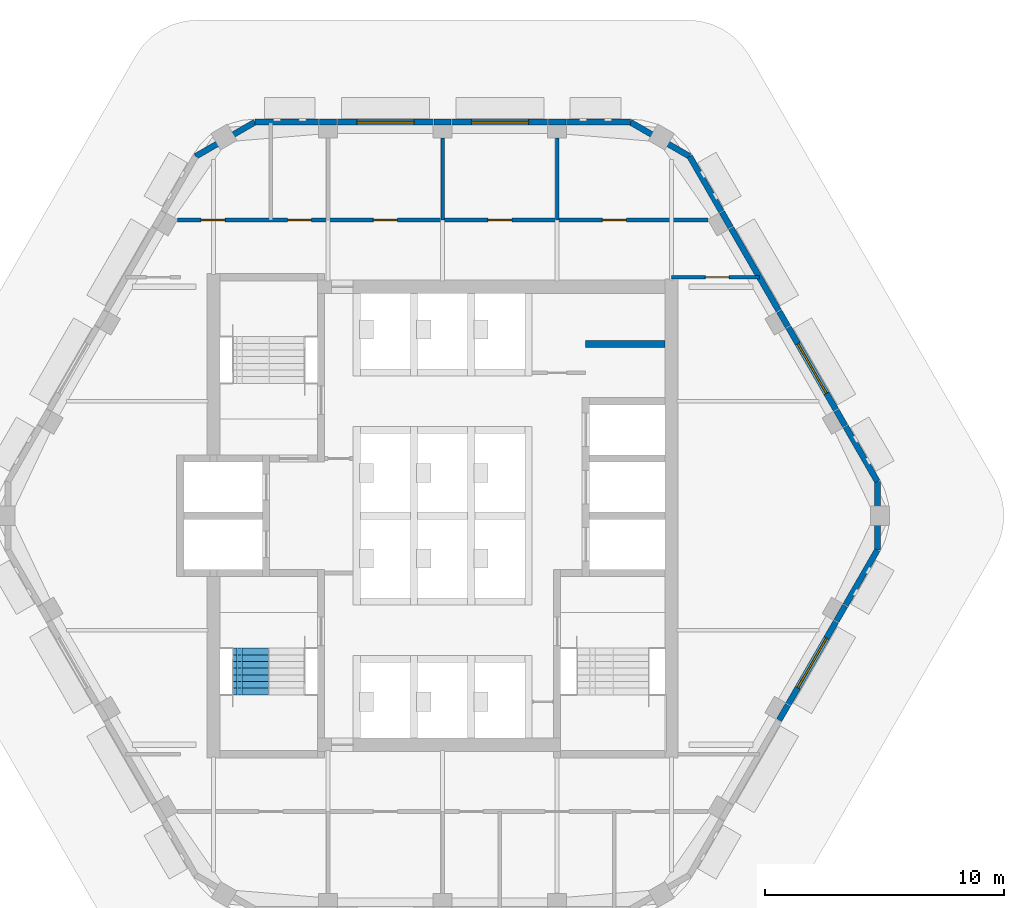
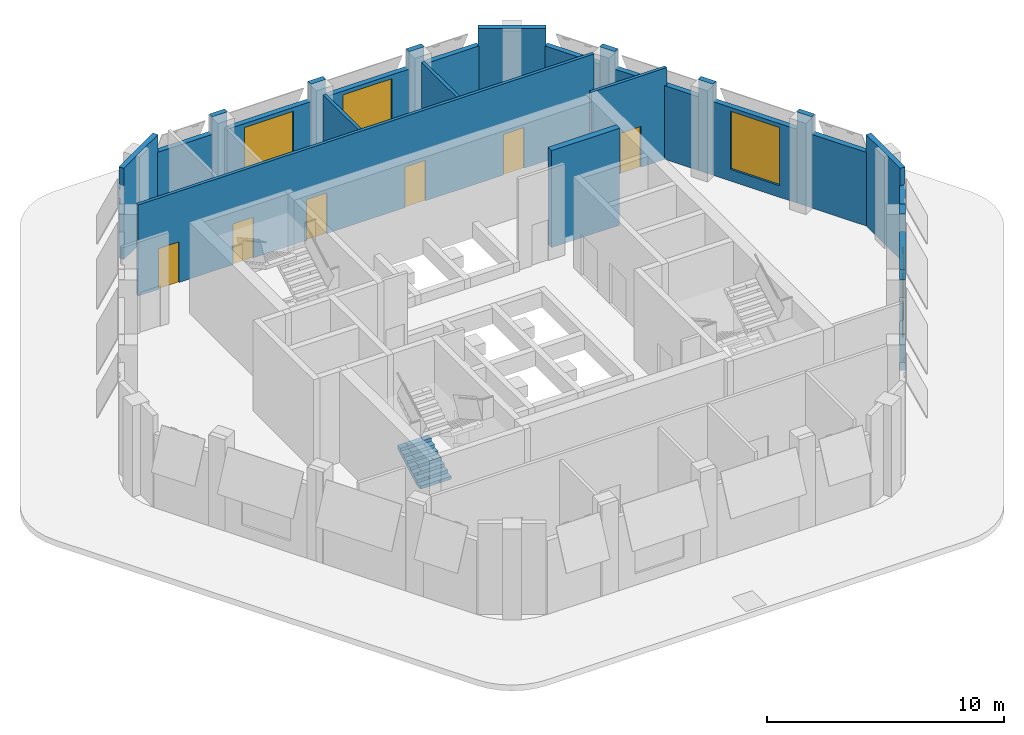
# One storey, part 5 of 9: 26 walls, 6 doors, 4 windows, 1 stair flight, 10 openings, 1 element without a shape of its own.
"""IFC4 building model written with IfcOpenShell, lengths in metres."""

from ifc_helpers import new_model, si_unit, direction, frame, frame_2d, origin, place, context, subcontext, project, spatial, polyline, rectangle, outline, extrude, material, layer, layer_set, type_object, element, fill, aggregate, save


model = new_model("IFC4")

# Units and contexts
model_context = context("Model", 3, precision=1e-05, world=origin(), true_north=direction((0.0, 1.0)))
body_context = subcontext(model_context, "Body", "Model", "MODEL_VIEW")
ifc_project = project(units=[si_unit("LENGTHUNIT", "METRE"), si_unit("AREAUNIT", "SQUARE_METRE"), si_unit("VOLUMEUNIT", "CUBIC_METRE"), si_unit("PLANEANGLEUNIT", "RADIAN"), si_unit("MASSUNIT", "GRAM", prefix="KILO")], contexts=[model_context])

# Site, building, storey
site_placement = place(None, origin())
site = spatial("IfcSite", under=ifc_project, at=site_placement, CompositionType="ELEMENT")
building_placement = place(site_placement, origin())
building = spatial("IfcBuilding", under=site, at=building_placement, Name="Kolab Exchange Tower", CompositionType="ELEMENT")
storey_placement = place(building_placement, frame((0.0, 0.0, 296.89990234375)))
storey = spatial("IfcBuildingStorey", under=building, at=storey_placement, Name="L67", CompositionType="ELEMENT", Elevation=296.89990234375)

# Wall, opening, window
ifc_material_1 = material(Name="Aluminium EN AW-6063 T6", Category="aluminium")
ifc_layer_1 = layer(ifc_material_1, 0.25)
ifc_layer_set_1 = layer_set([ifc_layer_1], Name="Aluminium EN AW-6063 T6")
wall_type_1 = type_object("IfcWallType", Name="CROWN CLADDING WALL 250", PredefinedType="SOLIDWALL", material=ifc_layer_set_1)
wall_1_placement = place(storey_placement, frame((-4.43994140625, 16.502685546875, 0.0), z_axis=(0.0, 0.0, 1.0), x_axis=(1.0, 0.0, 0.0)))
wall_1 = element("IfcWall", 1, at=wall_1_placement, inside=storey, type_object=wall_type_1, Name="Crown cladding wall", PredefinedType="SOLIDWALL", context=body_context, shape_type="SweptSolid", body=[
    extrude(rectangle(XDim=4.079833984375, YDim=0.25, at=frame_2d((2.0400390625, 0.0))), origin(), (0.0, 0.0, 1.0), 3.800048828125),
])
opening_1_placement = place(wall_1_placement, frame((0.840087890625, 0.0, 0.60009765625)))
opening_1 = element("IfcOpeningElement", 2, at=opening_1_placement, cuts=wall_1, Name="Opening W10-001", PredefinedType="OPENING", context=body_context, shape_type="SweptSolid", body=[
    extrude(rectangle(XDim=2.39990234375, YDim=3.0, at=frame_2d((1.199951171875, 1.5))), frame((0.0, 0.135009765625, 0.0), z_axis=(0.0, -1.0, 0.0), x_axis=(1.0, 0.0, 0.0)), (0.0, 0.0, 1.0), 0.27001953125),
])
window_type = type_object("IfcWindowType", Name="CROWN WINDOW 2400 X 3000", PartitioningType="SINGLE_PANEL", PredefinedType="WINDOW", material=ifc_material_1)
window_1_placement = place(opening_1_placement, origin())
window_1 = element("IfcWindow", 3, at=window_1_placement, inside=storey, type_object=window_type, Name="Crown window", OverallHeight=3.0, OverallWidth=2.39990234375, PartitioningType="SINGLE_PANEL", PredefinedType="WINDOW", context=body_context, shape_type="SweptSolid", body=[
    extrude(rectangle(XDim=2.39990234375, YDim=3.0, at=frame_2d((1.199951171875, 1.5))), frame((0.0, 0.030029296875, 0.0), z_axis=(0.0, -1.0, 0.0), x_axis=(1.0, 0.0, 0.0)), (0.0, 0.0, 1.0), 0.06005859375),
])
fill(opening_1, window_1)

# Walls
wall_2_placement = place(storey_placement, frame((-7.867919921875, 16.502685546875, 0.0), z_axis=(0.0, 0.0, 1.0), x_axis=(1.0, 0.0, 0.0)))
element("IfcWall", 4, at=wall_2_placement, inside=storey, type_object=wall_type_1, Name="Crown cladding wall", PredefinedType="SOLIDWALL", context=body_context, shape_type="SweptSolid", body=[
    extrude(rectangle(XDim=2.701171875, YDim=0.25, at=frame_2d((1.3505859375, 0.0))), origin(), (0.0, 0.0, 1.0), 3.800048828125),
])
wall_3_placement = place(storey_placement, frame((-5.166748046875, 16.502685546875, 0.0), z_axis=(0.0, 0.0, 1.0), x_axis=(1.0, 0.0, 0.0)))
element("IfcWall", 5, at=wall_3_placement, inside=storey, type_object=wall_type_1, Name="Crown cladding wall", PredefinedType="SOLIDWALL", context=body_context, shape_type="SweptSolid", body=[
    extrude(rectangle(XDim=0.726806640625, YDim=0.25, at=frame_2d((0.36328125, 0.0))), origin(), (0.0, 0.0, 1.0), 4.7001953125),
])
wall_4_placement = place(storey_placement, frame((-0.360107421875, 16.502685546875, 0.0), z_axis=(0.0, 0.0, 1.0), x_axis=(1.0, 0.0, 0.0)))
element("IfcWall", 6, at=wall_4_placement, inside=storey, type_object=wall_type_1, Name="Crown cladding wall", PredefinedType="SOLIDWALL", context=body_context, shape_type="SweptSolid", body=[
    extrude(rectangle(XDim=0.72021484375, YDim=0.25, at=frame_2d((0.360107421875, 0.0))), origin(), (0.0, 0.0, 1.0), 4.7001953125),
])

# Wall, opening, window
wall_5_placement = place(storey_placement, frame((0.360107421875, 16.502685546875, 0.0), z_axis=(0.0, 0.0, 1.0), x_axis=(1.0, 0.0, 0.0)))
wall_5 = element("IfcWall", 7, at=wall_5_placement, inside=storey, type_object=wall_type_1, Name="Crown cladding wall", PredefinedType="SOLIDWALL", context=body_context, shape_type="SweptSolid", body=[
    extrude(rectangle(XDim=4.079833984375, YDim=0.25, at=frame_2d((2.0400390625, 0.0))), origin(), (0.0, 0.0, 1.0), 3.800048828125),
])
opening_2_placement = place(wall_5_placement, frame((0.840087890625, 0.0, 0.60009765625)))
opening_2 = element("IfcOpeningElement", 8, at=opening_2_placement, cuts=wall_5, Name="Opening W10-002", PredefinedType="OPENING", context=body_context, shape_type="SweptSolid", body=[
    extrude(rectangle(XDim=2.39990234375, YDim=3.0, at=frame_2d((1.199951171875, 1.5))), frame((0.0, 0.135009765625, 0.0), z_axis=(0.0, -1.0, 0.0), x_axis=(1.0, 0.0, 0.0)), (0.0, 0.0, 1.0), 0.27001953125),
])
window_2_placement = place(opening_2_placement, origin())
window_2 = element("IfcWindow", 9, at=window_2_placement, inside=storey, type_object=window_type, Name="Crown window", OverallHeight=3.0, OverallWidth=2.39990234375, PartitioningType="SINGLE_PANEL", PredefinedType="WINDOW", context=body_context, shape_type="SweptSolid", body=[
    extrude(rectangle(XDim=2.39990234375, YDim=3.0, at=frame_2d((1.199951171875, 1.5))), frame((0.0, 0.030029296875, 0.0), z_axis=(0.0, -1.0, 0.0), x_axis=(1.0, 0.0, 0.0)), (0.0, 0.0, 1.0), 0.06005859375),
])
fill(opening_2, window_2)

# Walls
wall_6_placement = place(storey_placement, frame((4.43994140625, 16.502685546875, 0.0), z_axis=(0.0, 0.0, 1.0), x_axis=(1.0, 0.0, 0.0)))
element("IfcWall", 10, at=wall_6_placement, inside=storey, type_object=wall_type_1, Name="Crown cladding wall", PredefinedType="SOLIDWALL", context=body_context, shape_type="SweptSolid", body=[
    extrude(rectangle(XDim=0.726806640625, YDim=0.25, at=frame_2d((0.36328125, 0.0))), origin(), (0.0, 0.0, 1.0), 4.7001953125),
])
wall_7_placement = place(storey_placement, frame((5.166748046875, 16.502685546875, 0.0), z_axis=(0.0, 0.0, 1.0), x_axis=(1.0, 0.0, 0.0)))
element("IfcWall", 11, at=wall_7_placement, inside=storey, type_object=wall_type_1, Name="Crown cladding wall", PredefinedType="SOLIDWALL", context=body_context, shape_type="SweptSolid", body=[
    extrude(rectangle(XDim=2.701171875, YDim=0.25, at=frame_2d((1.3505859375, 0.0))), origin(), (0.0, 0.0, 1.0), 3.800048828125),
])
wall_8_placement = place(storey_placement, frame((7.867919921875, 16.502685546875, 0.0), z_axis=(0.0, 0.0, 1.0), x_axis=(0.866018712932, -0.500011588718, 0.0)))
element("IfcWall", 12, at=wall_8_placement, inside=storey, type_object=wall_type_1, Name="Crown cladding wall", PredefinedType="SOLIDWALL", context=body_context, shape_type="SweptSolid", body=[
    extrude(rectangle(XDim=2.875, YDim=0.25, at=frame_2d((1.4375, 0.0))), origin(), (0.0, 0.0, 1.0), 4.7001953125),
])

# Wall, opening, window
wall_9_placement = place(storey_placement, frame((14.4716796875, 7.939453125, 0.0), z_axis=(0.0, 0.0, 1.0), x_axis=(0.500026340207, -0.866010195725, 0.0)))
wall_9 = element("IfcWall", 13, at=wall_9_placement, inside=storey, type_object=wall_type_1, Name="Crown cladding wall", PredefinedType="SOLIDWALL", context=body_context, shape_type="SweptSolid", body=[
    extrude(rectangle(XDim=4.079833984375, YDim=0.25, at=frame_2d((2.0400390625, 0.0))), origin(), (0.0, 0.0, 1.0), 3.800048828125),
])
opening_3_placement = place(wall_9_placement, frame((0.840087890625, 0.0, 0.60009765625)))
opening_3 = element("IfcOpeningElement", 14, at=opening_3_placement, cuts=wall_9, Name="Opening W10-003", PredefinedType="OPENING", context=body_context, shape_type="SweptSolid", body=[
    extrude(rectangle(XDim=2.39990234375, YDim=3.0, at=frame_2d((1.199951171875, 1.5))), frame((0.0, 0.135009765625, 0.0), z_axis=(0.0, -1.0, 0.0), x_axis=(1.0, 0.0, 0.0)), (0.0, 0.0, 1.0), 0.27001953125),
])
window_3_placement = place(opening_3_placement, origin())
window_3 = element("IfcWindow", 15, at=window_3_placement, inside=storey, type_object=window_type, Name="Crown window", OverallHeight=3.0, OverallWidth=2.39990234375, PartitioningType="SINGLE_PANEL", PredefinedType="WINDOW", context=body_context, shape_type="SweptSolid", body=[
    extrude(rectangle(XDim=2.39990234375, YDim=3.0, at=frame_2d((1.199951171875, 1.5))), frame((0.0, 0.030029296875, 0.0), z_axis=(0.0, -1.0, 0.0), x_axis=(1.0, 0.0, 0.0)), (0.0, 0.0, 1.0), 0.06005859375),
])
fill(opening_3, window_3)

# Walls
wall_10_placement = place(storey_placement, frame((10.357666015625, 15.065185546875, 0.0), z_axis=(0.0, 0.0, 1.0), x_axis=(0.500056239725, -0.865992931329, 0.0)))
element("IfcWall", 16, at=wall_10_placement, inside=storey, type_object=wall_type_1, Name="Crown cladding wall", PredefinedType="SOLIDWALL", context=body_context, shape_type="SweptSolid", body=[
    extrude(rectangle(XDim=2.701416015625, YDim=0.25, at=frame_2d((1.3505859375, 0.0))), origin(), (0.0, 0.0, 1.0), 3.800048828125),
])
wall_11_placement = place(storey_placement, frame((11.70849609375, 12.725830078125, 0.0), z_axis=(0.0, 0.0, 1.0), x_axis=(0.499896944627, -0.866084894657, 0.0)))
element("IfcWall", 17, at=wall_11_placement, inside=storey, type_object=wall_type_1, Name="Crown cladding wall", PredefinedType="SOLIDWALL", context=body_context, shape_type="SweptSolid", body=[
    extrude(rectangle(XDim=0.726806640625, YDim=0.25, at=frame_2d((0.36328125, 0.0))), origin(), (0.0, 0.0, 1.0), 4.7001953125),
])
wall_12_placement = place(storey_placement, frame((12.07177734375, 12.096435546875, 0.0), z_axis=(0.0, 0.0, 1.0), x_axis=(0.500026340207, -0.866010195725, 0.0)))
element("IfcWall", 18, at=wall_12_placement, inside=storey, type_object=wall_type_1, Name="Crown cladding wall", PredefinedType="SOLIDWALL", context=body_context, shape_type="SweptSolid", body=[
    extrude(rectangle(XDim=4.079833984375, YDim=0.25, at=frame_2d((2.0400390625, 0.0))), origin(), (0.0, 0.0, 1.0), 3.800048828125),
])
wall_13_placement = place(storey_placement, frame((14.11181640625, 8.563232421875, 0.0), z_axis=(0.0, 0.0, 1.0), x_axis=(0.499712670472, -0.866191230024, 0.0)))
element("IfcWall", 19, at=wall_13_placement, inside=storey, type_object=wall_type_1, Name="Crown cladding wall", PredefinedType="SOLIDWALL", context=body_context, shape_type="SweptSolid", body=[
    extrude(rectangle(XDim=0.72021484375, YDim=0.25, at=frame_2d((0.360107421875, 0.0))), origin(), (0.0, 0.0, 1.0), 4.7001953125),
])
wall_14_placement = place(storey_placement, frame((16.51171875, 4.40625, 0.0), z_axis=(0.0, 0.0, 1.0), x_axis=(0.499896944627, -0.866084894657, 0.0)))
element("IfcWall", 20, at=wall_14_placement, inside=storey, type_object=wall_type_1, Name="Crown cladding wall", PredefinedType="SOLIDWALL", context=body_context, shape_type="SweptSolid", body=[
    extrude(rectangle(XDim=0.726806640625, YDim=0.25, at=frame_2d((0.36328125, 0.0))), origin(), (0.0, 0.0, 1.0), 4.7001953125),
])
wall_15_placement = place(storey_placement, frame((16.875, 3.77685546875, 0.0), z_axis=(0.0, 0.0, 1.0), x_axis=(0.500056239725, -0.865992931329, 0.0)))
element("IfcWall", 21, at=wall_15_placement, inside=storey, type_object=wall_type_1, Name="Crown cladding wall", PredefinedType="SOLIDWALL", context=body_context, shape_type="SweptSolid", body=[
    extrude(rectangle(XDim=2.701416015625, YDim=0.25, at=frame_2d((1.3505859375, 0.0))), origin(), (0.0, 0.0, 1.0), 3.800048828125),
])
wall_16_placement = place(storey_placement, frame((18.225830078125, 1.4375, 0.0), z_axis=(0.0, 0.0, 1.0), x_axis=(0.0, -1.0, 0.0)))
element("IfcWall", 22, at=wall_16_placement, inside=storey, type_object=wall_type_1, Name="Crown cladding wall", PredefinedType="SOLIDWALL", context=body_context, shape_type="SweptSolid", body=[
    extrude(rectangle(XDim=2.875, YDim=0.25, at=frame_2d((1.4375, 0.0))), origin(), (0.0, 0.0, 1.0), 4.7001953125),
])

# Wall, opening, window
wall_17_placement = place(storey_placement, frame((16.51171875, -4.40625, 0.0), z_axis=(0.0, 0.0, 1.0), x_axis=(-0.500026340207, -0.866010195725, 0.0)))
wall_17 = element("IfcWall", 23, at=wall_17_placement, inside=storey, type_object=wall_type_1, Name="Crown cladding wall", PredefinedType="SOLIDWALL", context=body_context, shape_type="SweptSolid", body=[
    extrude(rectangle(XDim=4.079833984375, YDim=0.25, at=frame_2d((2.0400390625, 0.0))), origin(), (0.0, 0.0, 1.0), 3.800048828125),
])
opening_4_placement = place(wall_17_placement, frame((0.840087890625, 0.0, 0.60009765625)))
opening_4 = element("IfcOpeningElement", 24, at=opening_4_placement, cuts=wall_17, Name="Opening W10-004", PredefinedType="OPENING", context=body_context, shape_type="SweptSolid", body=[
    extrude(rectangle(XDim=2.39990234375, YDim=3.0, at=frame_2d((1.199951171875, 1.5))), frame((0.0, 0.135009765625, 0.0), z_axis=(0.0, -1.0, 0.0), x_axis=(1.0, 0.0, 0.0)), (0.0, 0.0, 1.0), 0.27001953125),
])
window_4_placement = place(opening_4_placement, origin())
window_4 = element("IfcWindow", 25, at=window_4_placement, inside=storey, type_object=window_type, Name="Crown window", OverallHeight=3.0, OverallWidth=2.39990234375, PartitioningType="SINGLE_PANEL", PredefinedType="WINDOW", context=body_context, shape_type="SweptSolid", body=[
    extrude(rectangle(XDim=2.39990234375, YDim=3.0, at=frame_2d((1.199951171875, 1.5))), frame((0.0, 0.030029296875, 0.0), z_axis=(0.0, -1.0, 0.0), x_axis=(1.0, 0.0, 0.0)), (0.0, 0.0, 1.0), 0.06005859375),
])
fill(opening_4, window_4)

# Walls
wall_18_placement = place(storey_placement, frame((18.225830078125, -1.4375, 0.0), z_axis=(0.0, 0.0, 1.0), x_axis=(-0.500056239725, -0.865992931329, 0.0)))
element("IfcWall", 26, at=wall_18_placement, inside=storey, type_object=wall_type_1, Name="Crown cladding wall", PredefinedType="SOLIDWALL", context=body_context, shape_type="SweptSolid", body=[
    extrude(rectangle(XDim=2.701416015625, YDim=0.25, at=frame_2d((1.3505859375, 0.0))), origin(), (0.0, 0.0, 1.0), 3.800048828125),
])
wall_19_placement = place(storey_placement, frame((16.875, -3.77685546875, 0.0), z_axis=(0.0, 0.0, 1.0), x_axis=(-0.499896944627, -0.866084894657, 0.0)))
element("IfcWall", 27, at=wall_19_placement, inside=storey, type_object=wall_type_1, Name="Crown cladding wall", PredefinedType="SOLIDWALL", context=body_context, shape_type="SweptSolid", body=[
    extrude(rectangle(XDim=0.726806640625, YDim=0.25, at=frame_2d((0.36328125, 0.0))), origin(), (0.0, 0.0, 1.0), 4.7001953125),
])
wall_20_placement = place(storey_placement, frame((14.4716796875, -7.939453125, 0.0), z_axis=(0.0, 0.0, 1.0), x_axis=(-0.499712670472, -0.866191230024, 0.0)))
element("IfcWall", 28, at=wall_20_placement, inside=storey, type_object=wall_type_1, Name="Crown cladding wall", PredefinedType="SOLIDWALL", context=body_context, shape_type="SweptSolid", body=[
    extrude(rectangle(XDim=0.72021484375, YDim=0.25, at=frame_2d((0.360107421875, 0.0))), origin(), (0.0, 0.0, 1.0), 4.7001953125),
])
wall_21_placement = place(storey_placement, frame((-10.357666015625, 15.065185546875, 0.0), z_axis=(0.0, 0.0, 1.0), x_axis=(0.866018712932, 0.500011588718, 0.0)))
element("IfcWall", 29, at=wall_21_placement, inside=storey, type_object=wall_type_1, Name="Crown cladding wall", PredefinedType="SOLIDWALL", context=body_context, shape_type="SweptSolid", body=[
    extrude(rectangle(XDim=2.875, YDim=0.25, at=frame_2d((1.4375, 0.0))), origin(), (0.0, 0.0, 1.0), 4.7001953125),
])
ifc_material_2 = material(Name="Concrete C50/60", Category="concrete")
ifc_layer_2 = layer(ifc_material_2, 0.300048828125)
ifc_layer_set_2 = layer_set([ifc_layer_2], Name="Concrete C50/60")
wall_type_2 = type_object("IfcWallType", Name="LIFT SHAFT WALL 300 C50/60", PredefinedType="STANDARD", material=ifc_layer_set_2)
wall_22_placement = place(storey_placement, frame((6.0, 7.199951171875, -0.2998046875), z_axis=(0.0, 0.0, 1.0), x_axis=(1.0, 0.0, 0.0)))
element("IfcWall", 30, at=wall_22_placement, inside=storey, type_object=wall_type_2, Name="wall/L67/core/030", PredefinedType="STANDARD", context=body_context, shape_type="SweptSolid", body=[
    extrude(rectangle(XDim=3.324951171875, YDim=0.300048828125, at=frame_2d((1.66259765625, 0.0))), origin(), (0.0, 0.0, 1.0), 5.0),
])
ifc_material_3 = material(Name="Gypsum board", Category="gypsum")
ifc_layer_3 = layer(ifc_material_3, 0.14990234375)
ifc_layer_set_3 = layer_set([ifc_layer_3], Name="Gypsum board")
wall_type_3 = type_object("IfcWallType", Name="PARTITION 150 FIRE-RATED", PredefinedType="PARTITIONING", material=ifc_layer_set_3)
for number, where, z_axis, x_axis, name in (
    (31, (4.800048828125, 12.39990234375, 0.0), (0.0, 0.0, 1.0), (0.0, 1.0, 0.0), "Partition 001"),
    (32, (0.0, 12.39990234375, 0.0), (0.0, 0.0, 1.0), (0.0, 1.0, 0.0), "Partition 004"),
):
    element("IfcWall", number, at=place(storey_placement, frame(where, z_axis=z_axis, x_axis=x_axis)), inside=storey, type_object=wall_type_3, Name=name, PredefinedType="PARTITIONING", context=body_context, shape_type="SweptSolid", body=[
        extrude(rectangle(XDim=3.427734375, YDim=0.14990234375, at=frame_2d((1.7138671875, 0.0))), origin(), (0.0, 0.0, 1.0), 4.39013671875),
    ])

# Wall, opening, door
wall_23_placement = place(storey_placement, frame((9.60009765625, 10.0, 0.0), z_axis=(0.0, 0.0, 1.0), x_axis=(1.0, 0.0, 0.0)))
wall_23 = element("IfcWall", 33, at=wall_23_placement, inside=storey, type_object=wall_type_3, Name="Partition 014", PredefinedType="PARTITIONING", context=body_context, shape_type="SweptSolid", body=[
    extrude(rectangle(XDim=3.687744140625, YDim=0.14990234375, at=frame_2d((1.84375, 0.0))), origin(), (0.0, 0.0, 1.0), 4.7001953125),
])
opening_5_placement = place(wall_23_placement, frame((1.4130859375, 0.0, 0.0)))
opening_5 = element("IfcOpeningElement", 34, at=opening_5_placement, cuts=wall_23, Name="Opening D1-791", PredefinedType="OPENING", context=body_context, shape_type="SweptSolid", body=[
    extrude(rectangle(XDim=1.0, YDim=2.10009765625, at=frame_2d((0.5, 1.050048828125))), frame((0.0, 0.0849609375, 0.0), z_axis=(0.0, -1.0, 0.0), x_axis=(1.0, 0.0, 0.0)), (0.0, 0.0, 1.0), 0.169921875),
])
ifc_material_4 = material(Name="Steel S235", Category="steel")
door_type = type_object("IfcDoorType", Name="FLUSH DOOR 1000 FD60", OperationType="SINGLE_SWING_LEFT", PredefinedType="DOOR", material=ifc_material_4)
door_1_placement = place(opening_5_placement, frame((1.0, 0.0, 0.0), z_axis=(0.0, 0.0, 1.0), x_axis=(-1.0, 0.0, 0.0)))
door_1 = element("IfcDoor", 35, at=door_1_placement, inside=storey, type_object=door_type, Name="Door L67-027", OperationType="SINGLE_SWING_LEFT", OverallHeight=2.10009765625, OverallWidth=1.0, PredefinedType="DOOR", context=body_context, shape_type="SweptSolid", body=[
    extrude(rectangle(XDim=1.0, YDim=2.10009765625, at=frame_2d((0.5, 1.050048828125))), frame((0.0, 0.02490234375, 0.0), z_axis=(0.0, -1.0, 0.0), x_axis=(1.0, 0.0, 0.0)), (0.0, 0.0, 1.0), 0.050048828125),
])
fill(opening_5, door_1)

# Wall, openings, doors
wall_24_placement = place(storey_placement, frame((-11.1171875, 12.39990234375, 0.0), z_axis=(0.0, 0.0, 1.0), x_axis=(1.0, 0.0, 0.0)))
wall_24 = element("IfcWall", 36, at=wall_24_placement, inside=storey, type_object=wall_type_3, Name="Partition 015", PredefinedType="PARTITIONING", context=body_context, shape_type="SweptSolid", body=[
    extrude(rectangle(XDim=22.234375, YDim=0.14990234375, at=frame_2d((11.1171875, 0.0))), origin(), (0.0, 0.0, 1.0), 4.7001953125),
])
opening_6_placement = place(wall_24_placement, frame((0.99658203125, 0.0, 0.0)))
opening_6 = element("IfcOpeningElement", 37, at=opening_6_placement, cuts=wall_24, Name="Opening D1-781", PredefinedType="OPENING", context=body_context, shape_type="SweptSolid", body=[
    extrude(rectangle(XDim=1.0, YDim=2.10009765625, at=frame_2d((0.5, 1.050048828125))), frame((0.0, 0.0849609375, 0.0), z_axis=(0.0, -1.0, 0.0), x_axis=(1.0, 0.0, 0.0)), (0.0, 0.0, 1.0), 0.169921875),
])
opening_7_placement = place(wall_24_placement, frame((4.6171875, 0.0, 0.0)))
opening_7 = element("IfcOpeningElement", 38, at=opening_7_placement, cuts=wall_24, Name="Opening D1-782", PredefinedType="OPENING", context=body_context, shape_type="SweptSolid", body=[
    extrude(rectangle(XDim=1.0, YDim=2.10009765625, at=frame_2d((0.5, 1.050048828125))), frame((0.0, 0.0849609375, 0.0), z_axis=(0.0, -1.0, 0.0), x_axis=(1.0, 0.0, 0.0)), (0.0, 0.0, 1.0), 0.169921875),
])
opening_8_placement = place(wall_24_placement, frame((8.217041015625, 0.0, 0.0)))
opening_8 = element("IfcOpeningElement", 39, at=opening_8_placement, cuts=wall_24, Name="Opening D1-783", PredefinedType="OPENING", context=body_context, shape_type="SweptSolid", body=[
    extrude(rectangle(XDim=1.0, YDim=2.10009765625, at=frame_2d((0.5, 1.050048828125))), frame((0.0, 0.0849609375, 0.0), z_axis=(0.0, -1.0, 0.0), x_axis=(1.0, 0.0, 0.0)), (0.0, 0.0, 1.0), 0.169921875),
])
opening_9_placement = place(wall_24_placement, frame((13.01708984375, 0.0, 0.0)))
opening_9 = element("IfcOpeningElement", 40, at=opening_9_placement, cuts=wall_24, Name="Opening D1-784", PredefinedType="OPENING", context=body_context, shape_type="SweptSolid", body=[
    extrude(rectangle(XDim=1.0, YDim=2.10009765625, at=frame_2d((0.5, 1.050048828125))), frame((0.0, 0.0849609375, 0.0), z_axis=(0.0, -1.0, 0.0), x_axis=(1.0, 0.0, 0.0)), (0.0, 0.0, 1.0), 0.169921875),
])
opening_10_placement = place(wall_24_placement, frame((17.817138671875, 0.0, 0.0)))
opening_10 = element("IfcOpeningElement", 41, at=opening_10_placement, cuts=wall_24, Name="Opening D1-785", PredefinedType="OPENING", context=body_context, shape_type="SweptSolid", body=[
    extrude(rectangle(XDim=1.0, YDim=2.10009765625, at=frame_2d((0.5, 1.050048828125))), frame((0.0, 0.0849609375, 0.0), z_axis=(0.0, -1.0, 0.0), x_axis=(1.0, 0.0, 0.0)), (0.0, 0.0, 1.0), 0.169921875),
])
door_2_placement = place(opening_6_placement, origin())
door_2 = element("IfcDoor", 42, at=door_2_placement, inside=storey, type_object=door_type, Name="Door L67-017", OperationType="SINGLE_SWING_LEFT", OverallHeight=2.10009765625, OverallWidth=1.0, PredefinedType="DOOR", context=body_context, shape_type="SweptSolid", body=[
    extrude(rectangle(XDim=1.0, YDim=2.10009765625, at=frame_2d((0.5, 1.050048828125))), frame((0.0, 0.02490234375, 0.0), z_axis=(0.0, -1.0, 0.0), x_axis=(1.0, 0.0, 0.0)), (0.0, 0.0, 1.0), 0.050048828125),
])
fill(opening_6, door_2)
door_3_placement = place(opening_7_placement, origin())
door_3 = element("IfcDoor", 43, at=door_3_placement, inside=storey, type_object=door_type, Name="Door L67-018", OperationType="SINGLE_SWING_LEFT", OverallHeight=2.10009765625, OverallWidth=1.0, PredefinedType="DOOR", context=body_context, shape_type="SweptSolid", body=[
    extrude(rectangle(XDim=1.0, YDim=2.10009765625, at=frame_2d((0.5, 1.050048828125))), frame((0.0, 0.02490234375, 0.0), z_axis=(0.0, -1.0, 0.0), x_axis=(1.0, 0.0, 0.0)), (0.0, 0.0, 1.0), 0.050048828125),
])
fill(opening_7, door_3)
door_4_placement = place(opening_8_placement, origin())
door_4 = element("IfcDoor", 44, at=door_4_placement, inside=storey, type_object=door_type, Name="Door L67-019", OperationType="SINGLE_SWING_LEFT", OverallHeight=2.10009765625, OverallWidth=1.0, PredefinedType="DOOR", context=body_context, shape_type="SweptSolid", body=[
    extrude(rectangle(XDim=1.0, YDim=2.10009765625, at=frame_2d((0.5, 1.050048828125))), frame((0.0, 0.02490234375, 0.0), z_axis=(0.0, -1.0, 0.0), x_axis=(1.0, 0.0, 0.0)), (0.0, 0.0, 1.0), 0.050048828125),
])
fill(opening_8, door_4)
door_5_placement = place(opening_9_placement, origin())
door_5 = element("IfcDoor", 45, at=door_5_placement, inside=storey, type_object=door_type, Name="Door L67-020", OperationType="SINGLE_SWING_LEFT", OverallHeight=2.10009765625, OverallWidth=1.0, PredefinedType="DOOR", context=body_context, shape_type="SweptSolid", body=[
    extrude(rectangle(XDim=1.0, YDim=2.10009765625, at=frame_2d((0.5, 1.050048828125))), frame((0.0, 0.02490234375, 0.0), z_axis=(0.0, -1.0, 0.0), x_axis=(1.0, 0.0, 0.0)), (0.0, 0.0, 1.0), 0.050048828125),
])
fill(opening_9, door_5)
door_6_placement = place(opening_10_placement, origin())
door_6 = element("IfcDoor", 46, at=door_6_placement, inside=storey, type_object=door_type, Name="Door L67-021", OperationType="SINGLE_SWING_LEFT", OverallHeight=2.10009765625, OverallWidth=1.0, PredefinedType="DOOR", context=body_context, shape_type="SweptSolid", body=[
    extrude(rectangle(XDim=1.0, YDim=2.10009765625, at=frame_2d((0.5, 1.050048828125))), frame((0.0, 0.02490234375, 0.0), z_axis=(0.0, -1.0, 0.0), x_axis=(1.0, 0.0, 0.0)), (0.0, 0.0, 1.0), 0.050048828125),
])
fill(opening_10, door_6)

# Stair, stair flight
stair_type = type_object("IfcStairType", Name="STAIR ST3 RISER 156.2", PredefinedType="DOUBLE_RETURN_STAIR", material=ifc_material_2)
stair_placement = place(storey_placement, origin())
stair = element("IfcStair", 47, at=stair_placement, inside=storey, type_object=stair_type, Name="Stair 3", PredefinedType="DOUBLE_RETURN_STAIR")
stair_flight_type = type_object("IfcStairFlightType", Name="STAIR FLIGHT 1500 RISER 156.2", PredefinedType="STRAIGHT", material=ifc_material_2)
stair_flight_placement = place(storey_placement, frame((-8.047607421875, -7.510009765625, 1.25), z_axis=(0.0, 0.0, 1.0), x_axis=(0.0, 1.0, 0.0)))
stair_flight = element("IfcStairFlight", 48, at=stair_flight_placement, type_object=stair_flight_type, Name="ST3 flight 2", NumberOfRisers=8, NumberOfTreads=7, PredefinedType="STRAIGHT", RiserHeight=0.15625, TreadLength=0.28, context=body_context, shape_type="SweptSolid", body=[
    extrude(outline(polyline([(0.0, 0.0), (0.0, 0.15625), (0.280029296875, 0.15625), (0.280029296875, 0.3125), (0.56005859375, 0.3125), (0.56005859375, 0.46875), (0.840087890625, 0.46875), (0.840087890625, 0.625), (1.1201171875, 0.625), (1.1201171875, 0.78125), (1.39990234375, 0.78125), (1.39990234375, 0.9375), (1.679931640625, 0.9375), (1.679931640625, 1.09375), (1.9599609375, 1.09375), (1.9599609375, 1.25), (1.9599609375, 0.922119140625), (0.3076171875, 0.0), (0.0, 0.0)])), frame((0.0, 0.75, 0.0), z_axis=(0.0, -1.0, 0.0), x_axis=(1.0, 0.0, 0.0)), (0.0, 0.0, 1.0), 0.185791015625),
    extrude(outline(polyline([(0.0, 0.0), (0.0, 0.15625), (0.280029296875, 0.15625), (0.280029296875, 0.3125), (0.56005859375, 0.3125), (0.56005859375, 0.46875), (0.840087890625, 0.46875), (0.840087890625, 0.625), (1.1201171875, 0.625), (1.1201171875, 0.78125), (1.39990234375, 0.78125), (1.39990234375, 0.9375), (1.679931640625, 0.9375), (1.679931640625, 1.09375), (1.9599609375, 1.09375), (1.9599609375, 1.25), (1.9599609375, 0.922119140625), (0.3076171875, 0.0), (0.0, 0.0)])), frame((0.0, 0.562255859375, 0.0), z_axis=(0.0, -1.0, 0.0), x_axis=(1.0, 0.0, 0.0)), (0.0, 0.0, 1.0), 0.185791015625),
    extrude(outline(polyline([(0.0, 0.0), (0.0, 0.15625), (0.280029296875, 0.15625), (0.280029296875, 0.3125), (0.56005859375, 0.3125), (0.56005859375, 0.46875), (0.840087890625, 0.46875), (0.840087890625, 0.625), (1.1201171875, 0.625), (1.1201171875, 0.78125), (1.39990234375, 0.78125), (1.39990234375, 0.9375), (1.679931640625, 0.9375), (1.679931640625, 1.09375), (1.9599609375, 1.09375), (1.9599609375, 1.25), (1.9599609375, 0.922119140625), (0.3076171875, 0.0), (0.0, 0.0)])), frame((0.0, 0.37451171875, 0.0), z_axis=(0.0, -1.0, 0.0), x_axis=(1.0, 0.0, 0.0)), (0.0, 0.0, 1.0), 0.185791015625),
    extrude(outline(polyline([(0.0, 0.0), (0.0, 0.15625), (0.280029296875, 0.15625), (0.280029296875, 0.3125), (0.56005859375, 0.3125), (0.56005859375, 0.46875), (0.840087890625, 0.46875), (0.840087890625, 0.625), (1.1201171875, 0.625), (1.1201171875, 0.78125), (1.39990234375, 0.78125), (1.39990234375, 0.9375), (1.679931640625, 0.9375), (1.679931640625, 1.09375), (1.9599609375, 1.09375), (1.9599609375, 1.25), (1.9599609375, 0.922119140625), (0.3076171875, 0.0), (0.0, 0.0)])), frame((0.0, 0.186767578125, 0.0), z_axis=(0.0, -1.0, 0.0), x_axis=(1.0, 0.0, 0.0)), (0.0, 0.0, 1.0), 0.185791015625),
    extrude(outline(polyline([(0.0, 0.0), (0.0, 0.15625), (0.280029296875, 0.15625), (0.280029296875, 0.3125), (0.56005859375, 0.3125), (0.56005859375, 0.46875), (0.840087890625, 0.46875), (0.840087890625, 0.625), (1.1201171875, 0.625), (1.1201171875, 0.78125), (1.39990234375, 0.78125), (1.39990234375, 0.9375), (1.679931640625, 0.9375), (1.679931640625, 1.09375), (1.9599609375, 1.09375), (1.9599609375, 1.25), (1.9599609375, 0.922119140625), (0.3076171875, 0.0), (0.0, 0.0)])), frame((0.0, -0.0009765625, 0.0), z_axis=(0.0, -1.0, 0.0), x_axis=(1.0, 0.0, 0.0)), (0.0, 0.0, 1.0), 0.185791015625),
    extrude(outline(polyline([(0.0, 0.0), (0.0, 0.15625), (0.280029296875, 0.15625), (0.280029296875, 0.3125), (0.56005859375, 0.3125), (0.56005859375, 0.46875), (0.840087890625, 0.46875), (0.840087890625, 0.625), (1.1201171875, 0.625), (1.1201171875, 0.78125), (1.39990234375, 0.78125), (1.39990234375, 0.9375), (1.679931640625, 0.9375), (1.679931640625, 1.09375), (1.9599609375, 1.09375), (1.9599609375, 1.25), (1.9599609375, 0.922119140625), (0.3076171875, 0.0), (0.0, 0.0)])), frame((0.0, -0.188720703125, 0.0), z_axis=(0.0, -1.0, 0.0), x_axis=(1.0, 0.0, 0.0)), (0.0, 0.0, 1.0), 0.185791015625),
    extrude(outline(polyline([(0.0, 0.0), (0.0, 0.15625), (0.280029296875, 0.15625), (0.280029296875, 0.3125), (0.56005859375, 0.3125), (0.56005859375, 0.46875), (0.840087890625, 0.46875), (0.840087890625, 0.625), (1.1201171875, 0.625), (1.1201171875, 0.78125), (1.39990234375, 0.78125), (1.39990234375, 0.9375), (1.679931640625, 0.9375), (1.679931640625, 1.09375), (1.9599609375, 1.09375), (1.9599609375, 1.25), (1.9599609375, 0.922119140625), (0.3076171875, 0.0), (0.0, 0.0)])), frame((0.0, -0.37646484375, 0.0), z_axis=(0.0, -1.0, 0.0), x_axis=(1.0, 0.0, 0.0)), (0.0, 0.0, 1.0), 0.185791015625),
    extrude(outline(polyline([(0.0, 0.0), (0.0, 0.15625), (0.280029296875, 0.15625), (0.280029296875, 0.3125), (0.56005859375, 0.3125), (0.56005859375, 0.46875), (0.840087890625, 0.46875), (0.840087890625, 0.625), (1.1201171875, 0.625), (1.1201171875, 0.78125), (1.39990234375, 0.78125), (1.39990234375, 0.9375), (1.679931640625, 0.9375), (1.679931640625, 1.09375), (1.9599609375, 1.09375), (1.9599609375, 1.25), (1.9599609375, 0.922119140625), (0.3076171875, 0.0), (0.0, 0.0)])), frame((0.0, -0.564208984375, 0.0), z_axis=(0.0, -1.0, 0.0), x_axis=(1.0, 0.0, 0.0)), (0.0, 0.0, 1.0), 0.185791015625),
])
aggregate(stair, [stair_flight])

save(model, "model.ifc")
